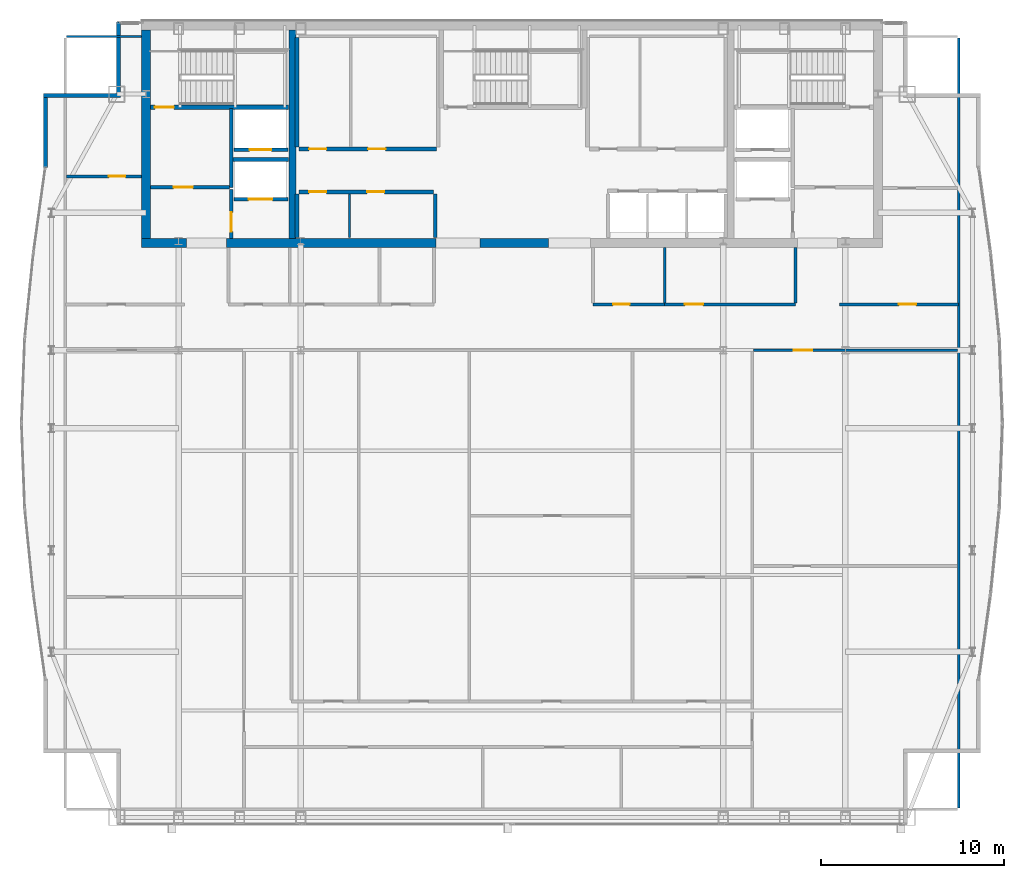
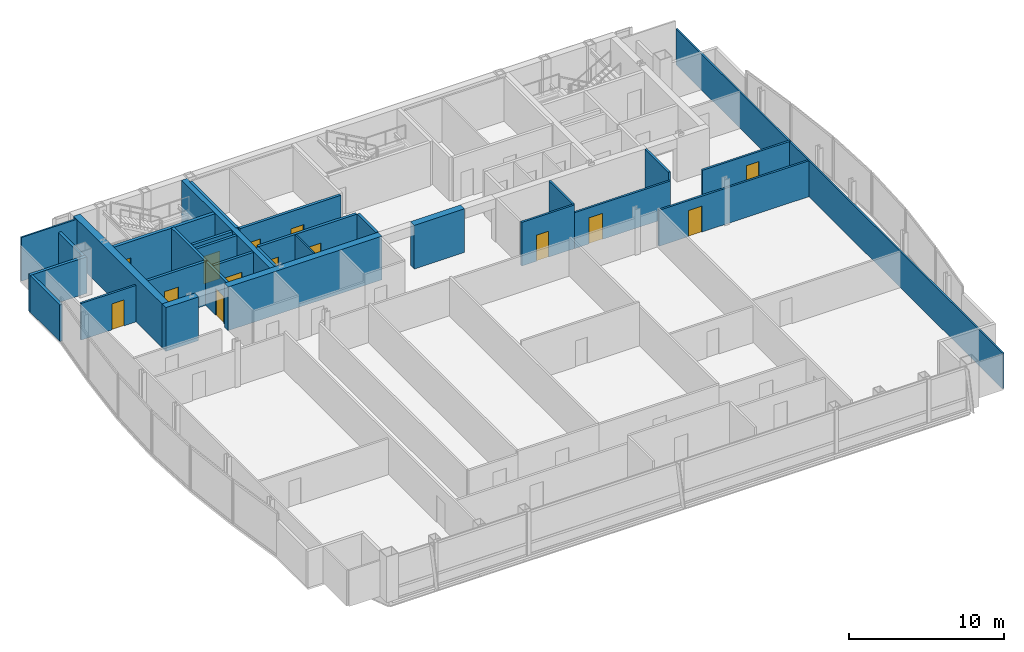
# One storey, part 22 of 26: 30 walls, 14 doors, 14 openings.
"""IFC4 building model written with IfcOpenShell, lengths in metres."""

from ifc_helpers import new_model, si_unit, direction, frame, frame_2d, origin, place, context, subcontext, project, spatial, rectangle, extrude, material, layer, layer_set, type_object, element, fill, save


model = new_model("IFC4")

# Units and contexts
model_context = context("Model", 3, precision=1e-05, world=origin(), true_north=direction((0.0, 1.0)))
body_context = subcontext(model_context, "Body", "Model", "MODEL_VIEW")
ifc_project = project(units=[si_unit("LENGTHUNIT", "METRE"), si_unit("AREAUNIT", "SQUARE_METRE"), si_unit("VOLUMEUNIT", "CUBIC_METRE"), si_unit("PLANEANGLEUNIT", "RADIAN"), si_unit("MASSUNIT", "GRAM", prefix="KILO")], contexts=[model_context])

# Site, building, storey
site_placement = place(None, origin())
site = spatial("IfcSite", under=ifc_project, at=site_placement, CompositionType="ELEMENT")
building_placement = place(site_placement, origin())
building = spatial("IfcBuilding", under=site, at=building_placement, Name="Khoronbel Lancet Exchange", CompositionType="ELEMENT")
storey_placement = place(building_placement, frame((0.0, 0.0, 339.800048828125)))
storey = spatial("IfcBuildingStorey", under=building, at=storey_placement, Name="L88", CompositionType="ELEMENT", Elevation=339.800048828125)

# Walls
ifc_material_1 = material(Name="Concrete C60/75", Category="concrete")
ifc_layer_1 = layer(ifc_material_1, 0.5, Name="Concrete C60/75")
ifc_layer_set_1 = layer_set([ifc_layer_1], Name="Concrete C60/75")
wall_type_1 = type_object("IfcWallType", Name="WL-CW4", PredefinedType="SHEAR", material=ifc_layer_set_1)
wall_1_placement = place(storey_placement, frame((16.449951171875, 41.800048828125, 0.0), z_axis=(0.0, 0.0, 1.0), x_axis=(0.0, 1.0, 0.0)))
element("IfcWall", 1, at=wall_1_placement, inside=storey, type_object=wall_type_1, Name="Level L88 rear core west shear wall", PredefinedType="SHEAR", context=body_context, shape_type="SweptSolid", body=[
    extrude(rectangle(XDim=11.39990234375, YDim=0.5, at=frame_2d((5.699951171875, 0.0))), origin(), (0.0, 0.0, 1.0), 3.43994140625),
])
wall_2_placement = place(storey_placement, frame((18.64990234375, 41.550048828125, 0.0), z_axis=(0.0, 0.0, 1.0), x_axis=(-1.0, 0.0, 0.0)))
element("IfcWall", 2, at=wall_2_placement, inside=storey, type_object=wall_type_1, Name="Level L88 rear core south shear wall pier P1", PredefinedType="SHEAR", context=body_context, shape_type="SweptSolid", body=[
    extrude(rectangle(XDim=2.449951171875, YDim=0.5, at=frame_2d((1.22509765625, 0.0))), origin(), (0.0, 0.0, 1.0), 3.43994140625),
])
wall_3_placement = place(storey_placement, frame((32.300048828125, 41.550048828125, 0.0), z_axis=(0.0, 0.0, 1.0), x_axis=(-1.0, 0.0, 0.0)))
element("IfcWall", 3, at=wall_3_placement, inside=storey, type_object=wall_type_1, Name="Level L88 rear core south shear wall pier P2", PredefinedType="SHEAR", context=body_context, shape_type="SweptSolid", body=[
    extrude(rectangle(XDim=11.449951171875, YDim=0.5, at=frame_2d((5.72509765625, 0.0))), origin(), (0.0, 0.0, 1.0), 3.43994140625),
])
wall_4_placement = place(storey_placement, frame((38.449951171875, 41.550048828125, 0.0), z_axis=(0.0, 0.0, 1.0), x_axis=(-1.0, 0.0, 0.0)))
element("IfcWall", 4, at=wall_4_placement, inside=storey, type_object=wall_type_1, Name="Level L88 rear core south shear wall pier P3", PredefinedType="SHEAR", context=body_context, shape_type="SweptSolid", body=[
    extrude(rectangle(XDim=3.75, YDim=0.5, at=frame_2d((1.875, 0.0))), origin(), (0.0, 0.0, 1.0), 3.43994140625),
])
ifc_material_2 = material(Name="Precast concrete C40/50", Category="concrete")
ifc_layer_2 = layer(ifc_material_2, 0.25, Name="Precast concrete C40/50")
ifc_layer_set_2 = layer_set([ifc_layer_2], Name="Precast concrete C40/50")
wall_type_2 = type_object("IfcWallType", Name="WL-EXT250", PredefinedType="SOLIDWALL", material=ifc_layer_set_2)
wall_5_placement = place(storey_placement, frame((10.93994140625, 45.673828125, 0.0), z_axis=(0.0, 0.0, 1.0), x_axis=(0.0, 1.0, 0.0)))
element("IfcWall", 5, at=wall_5_placement, inside=storey, type_object=wall_type_2, Name="Level L88 notched-corner limestone pier 10", PredefinedType="SOLIDWALL", context=body_context, shape_type="SweptSolid", body=[
    extrude(rectangle(XDim=3.826171875, YDim=0.219970703125, at=frame_2d((1.9130859375, 0.0))), origin(), (0.0, 0.0, 1.0), 2.8798828125),
])
wall_6_placement = place(storey_placement, frame((10.830078125, 49.610107421875, 0.0), z_axis=(0.0, 0.0, 1.0), x_axis=(1.0, 0.0, 0.0)))
element("IfcWall", 6, at=wall_6_placement, inside=storey, type_object=wall_type_2, Name="Level L88 notched-corner limestone pier 11", PredefinedType="SOLIDWALL", context=body_context, shape_type="SweptSolid", body=[
    extrude(rectangle(XDim=4.219970703125, YDim=0.219970703125, at=frame_2d((2.10986328125, 0.0))), origin(), (0.0, 0.0, 1.0), 2.8798828125),
])
wall_7_placement = place(storey_placement, frame((14.93994140625, 49.719970703125, 0.0), z_axis=(0.0, 0.0, 1.0), x_axis=(0.0, 1.0, 0.0)))
element("IfcWall", 7, at=wall_7_placement, inside=storey, type_object=wall_type_2, Name="Level L88 notched-corner limestone pier 12", PredefinedType="SOLIDWALL", context=body_context, shape_type="SweptSolid", body=[
    extrude(rectangle(XDim=3.909912109375, YDim=0.219970703125, at=frame_2d((1.955078125, 0.0))), origin(), (0.0, 0.0, 1.0), 2.8798828125),
])
ifc_material_3 = material(Name="Acoustic Metal-Stud & Mineral-Wool Gypsum Partition 120 mm", Category="gypsum")
ifc_layer_3 = layer(ifc_material_3, 0.1201171875, Name="Acoustic Metal-Stud & Mineral-Wool Gypsum Partition 120 mm")
ifc_layer_set_3 = layer_set([ifc_layer_3], Name="Acoustic Metal-Stud & Mineral-Wool Gypsum Partition 120 mm")
wall_type_3 = type_object("IfcWallType", Name="WL-PRT120", PredefinedType="PARTITIONING", material=ifc_layer_set_3)
for number, where, z_axis, x_axis, name in (
    (8, (44.800048828125, 38.280029296875, 0.0), (0.0, 0.0, 1.0), (0.0, 1.0, 0.0), "Level L88 interior partition PW-NP-M"),
    (9, (51.949951171875, 38.280029296875, 0.0), (0.0, 0.0, 1.0), (0.0, 1.0, 0.0), "Level L88 interior partition PW-NP-1"),
):
    element("IfcWall", number, at=place(storey_placement, frame(where, z_axis=z_axis, x_axis=x_axis)), inside=storey, type_object=wall_type_3, Name=name, PredefinedType="PARTITIONING", context=body_context, shape_type="SweptSolid", body=[
        extrude(rectangle(XDim=3.02001953125, YDim=0.14990234375, at=frame_2d((1.510009765625, 0.0))), origin(), (0.0, 0.0, 1.0), 3.43994140625),
    ])

# Wall, opening, door
wall_8_placement = place(storey_placement, frame((12.094970703125, 45.199951171875, 0.0), z_axis=(0.0, 0.0, 1.0), x_axis=(1.0, 0.0, 0.0)))
wall_8 = element("IfcWall", 10, at=wall_8_placement, inside=storey, type_object=wall_type_3, Name="Level L88 interior partition PW-NW-H", PredefinedType="PARTITIONING", context=body_context, shape_type="SweptSolid", body=[
    extrude(rectangle(XDim=4.10498046875, YDim=0.14990234375, at=frame_2d((2.052490234375, 0.0))), origin(), (0.0, 0.0, 1.0), 2.8798828125),
])
opening_1_placement = place(wall_8_placement, frame((2.320068359375, 0.0, 0.0)))
opening_1 = element("IfcOpeningElement", 11, at=opening_1_placement, cuts=wall_8, Name="Opening D5", PredefinedType="OPENING", context=body_context, shape_type="SweptSolid", body=[
    extrude(rectangle(XDim=0.89990234375, YDim=2.050048828125, at=frame_2d((0.449951171875, 1.02490234375))), frame((0.0, 0.0849609375, 0.0), z_axis=(0.0, -1.0, 0.0), x_axis=(1.0, 0.0, 0.0)), (0.0, 0.0, 1.0), 0.169921875),
])
ifc_material_4 = material(Name="Acoustic Timber Pantry & Support Door", Category="wood")
door_type_1 = type_object("IfcDoorType", Name="DR-D5", OperationType="NOTDEFINED", PredefinedType="DOOR", material=ifc_material_4)
door_1_placement = place(opening_1_placement, origin())
door_1 = element("IfcDoor", 12, at=door_1_placement, inside=storey, type_object=door_type_1, Name="NW north room door L88-1", OperationType="SINGLE_SWING_RIGHT", OverallHeight=2.050048828125, OverallWidth=0.89990234375, PredefinedType="DOOR", context=body_context, shape_type="SweptSolid", body=[
    extrude(rectangle(XDim=0.89990234375, YDim=2.050048828125, at=frame_2d((0.449951171875, 1.02490234375))), frame((0.0, 0.02490234375, 0.0), z_axis=(0.0, -1.0, 0.0), x_axis=(1.0, 0.0, 0.0)), (0.0, 0.0, 1.0), 0.050048828125),
])
fill(opening_1, door_1)

# Walls
wall_9_placement = place(storey_placement, frame((60.8701171875, 10.6650390625, 0.0), z_axis=(0.0, 0.0, 1.0), x_axis=(0.0, 1.0, 0.0)))
element("IfcWall", 13, at=wall_9_placement, inside=storey, type_object=wall_type_3, Name="Level L88 interior partition PW-LIN-E", PredefinedType="PARTITIONING", context=body_context, shape_type="SweptSolid", body=[
    extrude(rectangle(XDim=42.10986328125, YDim=0.1201171875, at=frame_2d((21.054931640625, 0.0))), origin(), (0.0, 0.0, 1.0), 2.829833984375),
])
wall_10_placement = place(storey_placement, frame((12.094970703125, 52.840087890625, 0.0), z_axis=(0.0, 0.0, 1.0), x_axis=(1.0, 0.0, 0.0)))
element("IfcWall", 14, at=wall_10_placement, inside=storey, type_object=wall_type_3, Name="Level L88 interior partition PW-LIN-NW", PredefinedType="PARTITIONING", context=body_context, shape_type="SweptSolid", body=[
    extrude(rectangle(XDim=4.10498046875, YDim=0.1201171875, at=frame_2d((2.052490234375, 0.0))), origin(), (0.0, 0.0, 1.0), 3.43994140625),
])
ifc_material_5 = material(Name="Fire-Rated Metal-Stud & Mineral-Wool Gypsum Partition 120 mm", Category="gypsum")
ifc_layer_4 = layer(ifc_material_5, 0.1201171875, Name="Fire-Rated Metal-Stud & Mineral-Wool Gypsum Partition 120 mm")
ifc_layer_set_4 = layer_set([ifc_layer_4], Name="Fire-Rated Metal-Stud & Mineral-Wool Gypsum Partition 120 mm")
wall_type_4 = type_object("IfcWallType", Name="WL-PRT120F", PredefinedType="PARTITIONING", material=ifc_layer_set_4)
wall_11_placement = place(storey_placement, frame((27.569091796875, 41.85009765625, 0.0), z_axis=(0.0, 0.0, 1.0), x_axis=(0.0, 1.0, 0.0)))
element("IfcWall", 15, at=wall_11_placement, inside=storey, type_object=wall_type_4, Name="Level L88 interior partition CW-PM-RS1", PredefinedType="PARTITIONING", context=body_context, shape_type="SweptSolid", body=[
    extrude(rectangle(XDim=2.39501953125, YDim=0.1201171875, at=frame_2d((1.197509765625, 0.0))), origin(), (0.0, 0.0, 1.0), 3.43994140625),
])

# Wall, opening, door
ifc_material_6 = material(Name="Fire-Rated Twin-Stud Acoustic Gypsum Partition 150 mm", Category="gypsum")
ifc_layer_5 = layer(ifc_material_6, 0.14990234375, Name="Fire-Rated Twin-Stud Acoustic Gypsum Partition 150 mm")
ifc_layer_set_5 = layer_set([ifc_layer_5], Name="Fire-Rated Twin-Stud Acoustic Gypsum Partition 150 mm")
wall_type_5 = type_object("IfcWallType", Name="WL-PRT150C", PredefinedType="PARTITIONING", material=ifc_layer_set_5)
wall_12_placement = place(storey_placement, frame((40.8798828125, 38.199951171875, 0.0), z_axis=(0.0, 0.0, 1.0), x_axis=(1.0, 0.0, 0.0)))
wall_12 = element("IfcWall", 16, at=wall_12_placement, inside=storey, type_object=wall_type_5, Name="Level L88 interior partition PW-NP-S1", PredefinedType="PARTITIONING", context=body_context, shape_type="SweptSolid", body=[
    extrude(rectangle(XDim=3.920166015625, YDim=0.14990234375, at=frame_2d((1.9599609375, 0.0))), origin(), (0.0, 0.0, 1.0), 3.43994140625),
])
opening_2_placement = place(wall_12_placement, frame((1.10009765625, 0.0, 0.0)))
opening_2 = element("IfcOpeningElement", 17, at=opening_2_placement, cuts=wall_12, Name="Opening D5", PredefinedType="OPENING", context=body_context, shape_type="SweptSolid", body=[
    extrude(rectangle(XDim=0.89990234375, YDim=2.050048828125, at=frame_2d((0.449951171875, 1.02490234375))), frame((0.0, 0.0849609375, 0.0), z_axis=(0.0, -1.0, 0.0), x_axis=(1.0, 0.0, 0.0)), (0.0, 0.0, 1.0), 0.169921875),
])
door_2_placement = place(opening_2_placement, origin())
door_2 = element("IfcDoor", 18, at=door_2_placement, inside=storey, type_object=door_type_1, Name="Floor refreshment pantry door L88-1", OperationType="SINGLE_SWING_RIGHT", OverallHeight=2.050048828125, OverallWidth=0.89990234375, PredefinedType="DOOR", context=body_context, shape_type="SweptSolid", body=[
    extrude(rectangle(XDim=0.89990234375, YDim=2.050048828125, at=frame_2d((0.449951171875, 1.02490234375))), frame((0.0, 0.02490234375, 0.0), z_axis=(0.0, -1.0, 0.0), x_axis=(1.0, 0.0, 0.0)), (0.0, 0.0, 1.0), 0.050048828125),
])
fill(opening_2, door_2)

wall_13_placement = place(storey_placement, frame((44.800048828125, 38.199951171875, 0.0), z_axis=(0.0, 0.0, 1.0), x_axis=(1.0, 0.0, 0.0)))
wall_13 = element("IfcWall", 19, at=wall_13_placement, inside=storey, type_object=wall_type_5, Name="Level L88 interior partition PW-NP-S2", PredefinedType="PARTITIONING", context=body_context, shape_type="SweptSolid", body=[
    extrude(rectangle(XDim=7.14990234375, YDim=0.14990234375, at=frame_2d((3.574951171875, 0.0))), origin(), (0.0, 0.0, 1.0), 2.829833984375),
])
opening_3_placement = place(wall_13_placement, frame((1.10009765625, 0.0, 0.0)))
opening_3 = element("IfcOpeningElement", 20, at=opening_3_placement, cuts=wall_13, Name="Opening D2", PredefinedType="OPENING", context=body_context, shape_type="SweptSolid", body=[
    extrude(rectangle(XDim=1.0, YDim=2.050048828125, at=frame_2d((0.5, 1.02490234375))), frame((0.0, 0.0849609375, 0.0), z_axis=(0.0, -1.0, 0.0), x_axis=(1.0, 0.0, 0.0)), (0.0, 0.0, 1.0), 0.169921875),
])
ifc_material_7 = material(Name="Acoustic Veneered Timber & Bronze Frame Door", Category="wood")
door_type_2 = type_object("IfcDoorType", Name="DR-D2", OperationType="NOTDEFINED", PredefinedType="DOOR", material=ifc_material_7)
door_3_placement = place(opening_3_placement, origin())
door_3 = element("IfcDoor", 21, at=door_3_placement, inside=storey, type_object=door_type_2, Name="Floor store door L88-1", OperationType="SINGLE_SWING_LEFT", OverallHeight=2.050048828125, OverallWidth=1.0, PredefinedType="DOOR", context=body_context, shape_type="SweptSolid", body=[
    extrude(rectangle(XDim=1.0, YDim=2.050048828125, at=frame_2d((0.5, 1.02490234375))), frame((0.0, 0.02490234375, 0.0), z_axis=(0.0, -1.0, 0.0), x_axis=(1.0, 0.0, 0.0)), (0.0, 0.0, 1.0), 0.050048828125),
])
fill(opening_3, door_3)

wall_14_placement = place(storey_placement, frame((54.35009765625, 38.199951171875, 0.0), z_axis=(0.0, 0.0, 1.0), x_axis=(1.0, 0.0, 0.0)))
wall_14 = element("IfcWall", 22, at=wall_14_placement, inside=storey, type_object=wall_type_5, Name="Level L88 interior partition PW-NE-S", PredefinedType="PARTITIONING", context=body_context, shape_type="SweptSolid", body=[
    extrude(rectangle(XDim=6.52001953125, YDim=0.14990234375, at=frame_2d((3.260009765625, 0.0))), origin(), (0.0, 0.0, 1.0), 2.829833984375),
])
opening_4_placement = place(wall_14_placement, frame((3.25, 0.0, 0.0)))
opening_4 = element("IfcOpeningElement", 23, at=opening_4_placement, cuts=wall_14, Name="Opening D1", PredefinedType="OPENING", context=body_context, shape_type="SweptSolid", body=[
    extrude(rectangle(XDim=0.949951171875, YDim=2.050048828125, at=frame_2d((0.47509765625, 1.02490234375))), frame((0.0, 0.0849609375, 0.0), z_axis=(0.0, -1.0, 0.0), x_axis=(1.0, 0.0, 0.0)), (0.0, 0.0, 1.0), 0.169921875),
])
door_type_3 = type_object("IfcDoorType", Name="DR-D1", OperationType="NOTDEFINED", PredefinedType="DOOR", material=ifc_material_7)
door_4_placement = place(opening_4_placement, origin())
door_4 = element("IfcDoor", 24, at=door_4_placement, inside=storey, type_object=door_type_3, Name="NE corner room door L88-1", OperationType="SINGLE_SWING_LEFT", OverallHeight=2.050048828125, OverallWidth=0.949951171875, PredefinedType="DOOR", context=body_context, shape_type="SweptSolid", body=[
    extrude(rectangle(XDim=0.949951171875, YDim=2.050048828125, at=frame_2d((0.47509765625, 1.02490234375))), frame((0.0, 0.02490234375, 0.0), z_axis=(0.0, -1.0, 0.0), x_axis=(1.0, 0.0, 0.0)), (0.0, 0.0, 1.0), 0.050048828125),
])
fill(opening_4, door_4)

wall_15_placement = place(storey_placement, frame((49.659912109375, 35.699951171875, 0.0), z_axis=(0.0, 0.0, 1.0), x_axis=(1.0, 0.0, 0.0)))
wall_15 = element("IfcWall", 25, at=wall_15_placement, inside=storey, type_object=wall_type_5, Name="Level L88 interior partition PW-Z4-EN2", PredefinedType="PARTITIONING", context=body_context, shape_type="SweptSolid", body=[
    extrude(rectangle(XDim=11.14501953125, YDim=0.14990234375, at=frame_2d((5.572509765625, 0.0))), origin(), (0.0, 0.0, 1.0), 2.829833984375),
])
opening_5_placement = place(wall_15_placement, frame((2.199951171875, 0.0, 0.0)))
opening_5 = element("IfcOpeningElement", 26, at=opening_5_placement, cuts=wall_15, Name="Opening D2", PredefinedType="OPENING", context=body_context, shape_type="SweptSolid", body=[
    extrude(rectangle(XDim=1.0, YDim=2.050048828125, at=frame_2d((0.5, 1.02490234375))), frame((0.0, 0.0849609375, 0.0), z_axis=(0.0, -1.0, 0.0), x_axis=(1.0, 0.0, 0.0)), (0.0, 0.0, 1.0), 0.169921875),
])
door_5_placement = place(opening_5_placement, origin())
door_5 = element("IfcDoor", 27, at=door_5_placement, inside=storey, type_object=door_type_2, Name="East lens north door L88-1", OperationType="SINGLE_SWING_RIGHT", OverallHeight=2.050048828125, OverallWidth=1.0, PredefinedType="DOOR", context=body_context, shape_type="SweptSolid", body=[
    extrude(rectangle(XDim=1.0, YDim=2.050048828125, at=frame_2d((0.5, 1.02490234375))), frame((0.0, 0.02490234375, 0.0), z_axis=(0.0, -1.0, 0.0), x_axis=(1.0, 0.0, 0.0)), (0.0, 0.0, 1.0), 0.050048828125),
])
fill(opening_5, door_5)

ifc_material_8 = material(Name="Autoclaved Aerated Concrete Blockwork 200 mm", Category="masonry")
ifc_layer_6 = layer(ifc_material_8, 0.199951171875, Name="Autoclaved Aerated Concrete Blockwork 200 mm")
ifc_layer_set_6 = layer_set([ifc_layer_6], Name="Autoclaved Aerated Concrete Blockwork 200 mm")
wall_type_6 = type_object("IfcWallType", Name="WL-PRT200", PredefinedType="PARTITIONING", material=ifc_layer_set_6)
wall_16_placement = place(storey_placement, frame((24.2099609375, 43.949951171875, 0.0), z_axis=(0.0, 0.0, 1.0), x_axis=(-1.0, 0.0, 0.0)))
wall_16 = element("IfcWall", 28, at=wall_16_placement, inside=storey, type_object=wall_type_6, Name="Level L88 elevator hoistway landing front wall SVLW", PredefinedType="PARTITIONING", context=body_context, shape_type="SweptSolid", body=[
    extrude(rectangle(XDim=2.969970703125, YDim=0.199951171875, at=frame_2d((1.48486328125, 0.0))), origin(), (0.0, 0.0, 1.0), 3.43994140625),
])
opening_6_placement = place(wall_16_placement, frame((0.860107421875, 0.0, 0.0)))
opening_6 = element("IfcOpeningElement", 29, at=opening_6_placement, cuts=wall_16, Name="Opening LD-SVL1", PredefinedType="OPENING", context=body_context, shape_type="SweptSolid", body=[
    extrude(rectangle(XDim=1.300048828125, YDim=2.179931640625, at=frame_2d((0.64990234375, 1.08984375))), frame((0.0, 0.10986328125, 0.0), z_axis=(0.0, -1.0, 0.0), x_axis=(1.0, 0.0, 0.0)), (0.0, 0.0, 1.0), 0.219970703125),
])
ifc_material_9 = material(Name="Heavy-Duty Bi-Parting Goods Lift Landing Door", Category="steel")
door_type_4 = type_object("IfcDoorType", Name="DR-LD-SVL", OperationType="NOTDEFINED", PredefinedType="DOOR", material=ifc_material_9)
door_6_placement = place(opening_6_placement, origin())
door_6 = element("IfcDoor", 30, at=door_6_placement, inside=storey, type_object=door_type_4, Name="Elevator landing sliding door LD-SVL1 L88", OperationType="SLIDING_TO_LEFT", OverallHeight=2.179931640625, OverallWidth=1.300048828125, PredefinedType="DOOR", context=body_context, shape_type="SweptSolid", body=[
    extrude(rectangle(XDim=1.300048828125, YDim=2.179931640625, at=frame_2d((0.64990234375, 1.08984375))), frame((0.0, 0.02490234375, 0.0), z_axis=(0.0, -1.0, 0.0), x_axis=(1.0, 0.0, 0.0)), (0.0, 0.0, 1.0), 0.050048828125),
])
fill(opening_6, door_6)

wall_17_placement = place(storey_placement, frame((24.2099609375, 46.64990234375, 0.0), z_axis=(0.0, 0.0, 1.0), x_axis=(-1.0, 0.0, 0.0)))
wall_17 = element("IfcWall", 31, at=wall_17_placement, inside=storey, type_object=wall_type_6, Name="Level L88 elevator hoistway landing front wall FFLW", PredefinedType="PARTITIONING", context=body_context, shape_type="SweptSolid", body=[
    extrude(rectangle(XDim=2.969970703125, YDim=0.199951171875, at=frame_2d((1.48486328125, 0.0))), origin(), (0.0, 0.0, 1.0), 3.43994140625),
])
opening_7_placement = place(wall_17_placement, frame((0.909912109375, 0.0, 0.0)))
opening_7 = element("IfcOpeningElement", 32, at=opening_7_placement, cuts=wall_17, Name="Opening LD-FFL1", PredefinedType="OPENING", context=body_context, shape_type="SweptSolid", body=[
    extrude(rectangle(XDim=1.199951171875, YDim=2.179931640625, at=frame_2d((0.60009765625, 1.08984375))), frame((0.0, 0.10986328125, 0.0), z_axis=(0.0, -1.0, 0.0), x_axis=(1.0, 0.0, 0.0)), (0.0, 0.0, 1.0), 0.219970703125),
])
ifc_material_10 = material(Name="Fire-Rated Stainless Bi-Parting Firefighting Lift Door", Category="steel")
door_type_5 = type_object("IfcDoorType", Name="DR-LD-FFL", OperationType="NOTDEFINED", PredefinedType="DOOR", material=ifc_material_10)
door_7_placement = place(opening_7_placement, origin())
door_7 = element("IfcDoor", 33, at=door_7_placement, inside=storey, type_object=door_type_5, Name="Elevator landing sliding door LD-FFL1 L88", OperationType="SLIDING_TO_LEFT", OverallHeight=2.179931640625, OverallWidth=1.199951171875, PredefinedType="DOOR", context=body_context, shape_type="SweptSolid", body=[
    extrude(rectangle(XDim=1.199951171875, YDim=2.179931640625, at=frame_2d((0.60009765625, 1.08984375))), frame((0.0, 0.02490234375, 0.0), z_axis=(0.0, -1.0, 0.0), x_axis=(1.0, 0.0, 0.0)), (0.0, 0.0, 1.0), 0.050048828125),
])
fill(opening_7, door_7)

# Wall
wall_18_placement = place(storey_placement, frame((21.10009765625, 44.60009765625, 0.0), z_axis=(0.0, 0.0, 1.0), x_axis=(0.0, 1.0, 0.0)))
element("IfcWall", 34, at=wall_18_placement, inside=storey, type_object=wall_type_6, Name="Level L88 interior partition CW-FFLW-E", PredefinedType="PARTITIONING", context=body_context, shape_type="SweptSolid", body=[
    extrude(rectangle(XDim=4.2998046875, YDim=0.199951171875, at=frame_2d((2.14990234375, 0.0))), origin(), (0.0, 0.0, 1.0), 3.43994140625),
])

# Wall, opening, door
wall_19_placement = place(storey_placement, frame((16.699951171875, 44.60009765625, 0.0), z_axis=(0.0, 0.0, 1.0), x_axis=(1.0, 0.0, 0.0)))
wall_19 = element("IfcWall", 35, at=wall_19_placement, inside=storey, type_object=wall_type_6, Name="Level L88 interior partition CW-FFLW-S", PredefinedType="PARTITIONING", context=body_context, shape_type="SweptSolid", body=[
    extrude(rectangle(XDim=4.300048828125, YDim=0.199951171875, at=frame_2d((2.14990234375, 0.0))), origin(), (0.0, 0.0, 1.0), 3.43994140625),
])
opening_8_placement = place(wall_19_placement, frame((1.25, 0.0, 0.0)))
opening_8 = element("IfcOpeningElement", 36, at=opening_8_placement, cuts=wall_19, Name="Opening FD1", PredefinedType="OPENING", context=body_context, shape_type="SweptSolid", body=[
    extrude(rectangle(XDim=1.050048828125, YDim=2.14990234375, at=frame_2d((0.52490234375, 1.074951171875))), frame((0.0, 0.10986328125, 0.0), z_axis=(0.0, -1.0, 0.0), x_axis=(1.0, 0.0, 0.0)), (0.0, 0.0, 1.0), 0.219970703125),
])
ifc_material_11 = material(Name="Fire-Rated Painted Steel Door Assembly", Category="steel")
door_type_6 = type_object("IfcDoorType", Name="DR-FD1", OperationType="NOTDEFINED", PredefinedType="DOOR", material=ifc_material_11)
door_8_placement = place(opening_8_placement, origin())
door_8 = element("IfcDoor", 37, at=door_8_placement, inside=storey, type_object=door_type_6, Name="West firefighting lobby FD90S door L88-1", OperationType="SINGLE_SWING_LEFT", OverallHeight=2.14990234375, OverallWidth=1.050048828125, PredefinedType="DOOR", context=body_context, shape_type="SweptSolid", body=[
    extrude(rectangle(XDim=1.050048828125, YDim=2.14990234375, at=frame_2d((0.52490234375, 1.074951171875))), frame((0.0, 0.02490234375, 0.0), z_axis=(0.0, -1.0, 0.0), x_axis=(1.0, 0.0, 0.0)), (0.0, 0.0, 1.0), 0.050048828125),
])
fill(opening_8, door_8)

# Wall
wall_20_placement = place(storey_placement, frame((21.199951171875, 46.1201171875, 0.0), z_axis=(0.0, 0.0, 1.0), x_axis=(1.0, 0.0, 0.0)))
element("IfcWall", 38, at=wall_20_placement, inside=storey, type_object=wall_type_6, Name="Level L88 interior partition CW-FFL1-S", PredefinedType="PARTITIONING", context=body_context, shape_type="SweptSolid", body=[
    extrude(rectangle(XDim=3.02001953125, YDim=0.199951171875, at=frame_2d((1.510009765625, 0.0))), origin(), (0.0, 0.0, 1.0), 3.43994140625),
])

# Wall, opening, door
wall_21_placement = place(storey_placement, frame((21.10009765625, 41.800048828125, 0.0), z_axis=(0.0, 0.0, 1.0), x_axis=(0.0, 1.0, 0.0)))
wall_21 = element("IfcWall", 39, at=wall_21_placement, inside=storey, type_object=wall_type_6, Name="Level L88 interior partition CW-SVLW-W", PredefinedType="PARTITIONING", context=body_context, shape_type="SweptSolid", body=[
    extrude(rectangle(XDim=2.695068359375, YDim=0.199951171875, at=frame_2d((1.34765625, 0.0))), origin(), (0.0, 0.0, 1.0), 3.43994140625),
])
opening_9_placement = place(wall_21_placement, frame((0.3798828125, 0.0, 0.0)))
opening_9 = element("IfcOpeningElement", 40, at=opening_9_placement, cuts=wall_21, Name="Opening FD1", PredefinedType="OPENING", context=body_context, shape_type="SweptSolid", body=[
    extrude(rectangle(XDim=1.050048828125, YDim=2.14990234375, at=frame_2d((0.52490234375, 1.074951171875))), frame((0.0, 0.10986328125, 0.0), z_axis=(0.0, -1.0, 0.0), x_axis=(1.0, 0.0, 0.0)), (0.0, 0.0, 1.0), 0.219970703125),
])
door_9_placement = place(opening_9_placement, origin())
door_9 = element("IfcDoor", 41, at=door_9_placement, inside=storey, type_object=door_type_6, Name="West service lift lobby door L88-1", OperationType="SINGLE_SWING_RIGHT", OverallHeight=2.14990234375, OverallWidth=1.050048828125, PredefinedType="DOOR", context=body_context, shape_type="SweptSolid", body=[
    extrude(rectangle(XDim=1.050048828125, YDim=2.14990234375, at=frame_2d((0.52490234375, 1.074951171875))), frame((0.0, 0.02490234375, 0.0), z_axis=(0.0, -1.0, 0.0), x_axis=(1.0, 0.0, 0.0)), (0.0, 0.0, 1.0), 0.050048828125),
])
fill(opening_9, door_9)

# Wall
wall_22_placement = place(storey_placement, frame((24.699951171875, 46.804931640625, 0.0), z_axis=(0.0, 0.0, 1.0), x_axis=(0.0, 1.0, 0.0)))
element("IfcWall", 42, at=wall_22_placement, inside=storey, type_object=wall_type_6, Name="Level L88 interior partition CW-PL-RW", PredefinedType="PARTITIONING", context=body_context, shape_type="SweptSolid", body=[
    extrude(rectangle(XDim=5.989990234375, YDim=0.199951171875, at=frame_2d((2.9951171875, 0.0))), origin(), (0.0, 0.0, 1.0), 3.43994140625),
])

# Wall, openings, doors
wall_23_placement = place(storey_placement, frame((24.804931640625, 46.699951171875, 0.0), z_axis=(0.0, 0.0, 1.0), x_axis=(1.0, 0.0, 0.0)))
wall_23 = element("IfcWall", 43, at=wall_23_placement, inside=storey, type_object=wall_type_6, Name="Level L88 interior partition CW-PL-RF", PredefinedType="PARTITIONING", context=body_context, shape_type="SweptSolid", body=[
    extrude(rectangle(XDim=7.510009765625, YDim=0.199951171875, at=frame_2d((3.7548828125, 0.0))), origin(), (0.0, 0.0, 1.0), 3.43994140625),
])
opening_10_placement = place(wall_23_placement, frame((0.550048828125, 0.0, 0.0)))
opening_10 = element("IfcOpeningElement", 44, at=opening_10_placement, cuts=wall_23, Name="Opening FD3", PredefinedType="OPENING", context=body_context, shape_type="SweptSolid", body=[
    extrude(rectangle(XDim=0.949951171875, YDim=2.10009765625, at=frame_2d((0.47509765625, 1.050048828125))), frame((0.0, 0.10986328125, 0.0), z_axis=(0.0, -1.0, 0.0), x_axis=(1.0, 0.0, 0.0)), (0.0, 0.0, 1.0), 0.219970703125),
])
opening_11_placement = place(wall_23_placement, frame((3.78369140625, 0.0, 0.0)))
opening_11 = element("IfcOpeningElement", 45, at=opening_11_placement, cuts=wall_23, Name="Opening FD3", PredefinedType="OPENING", context=body_context, shape_type="SweptSolid", body=[
    extrude(rectangle(XDim=0.949951171875, YDim=2.10009765625, at=frame_2d((0.47509765625, 1.050048828125))), frame((0.0, 0.10986328125, 0.0), z_axis=(0.0, -1.0, 0.0), x_axis=(1.0, 0.0, 0.0)), (0.0, 0.0, 1.0), 0.219970703125),
])
ifc_material_12 = material(Name="Fire-Rated Steel Plant & Riser Door Assembly", Category="steel")
door_type_7 = type_object("IfcDoorType", Name="DR-FD3", OperationType="NOTDEFINED", PredefinedType="DOOR", material=ifc_material_12)
door_10_placement = place(opening_10_placement, origin())
door_10 = element("IfcDoor", 46, at=door_10_placement, inside=storey, type_object=door_type_7, Name="Reclaimed PL A door L88-1", OperationType="SINGLE_SWING_LEFT", OverallHeight=2.10009765625, OverallWidth=0.949951171875, PredefinedType="DOOR", context=body_context, shape_type="SweptSolid", body=[
    extrude(rectangle(XDim=0.949951171875, YDim=2.10009765625, at=frame_2d((0.47509765625, 1.050048828125))), frame((0.0, 0.02490234375, 0.0), z_axis=(0.0, -1.0, 0.0), x_axis=(1.0, 0.0, 0.0)), (0.0, 0.0, 1.0), 0.050048828125),
])
fill(opening_10, door_10)
door_11_placement = place(opening_11_placement, origin())
door_11 = element("IfcDoor", 47, at=door_11_placement, inside=storey, type_object=door_type_7, Name="Reclaimed PL B door L88-2", OperationType="SINGLE_SWING_RIGHT", OverallHeight=2.10009765625, OverallWidth=0.949951171875, PredefinedType="DOOR", context=body_context, shape_type="SweptSolid", body=[
    extrude(rectangle(XDim=0.949951171875, YDim=2.10009765625, at=frame_2d((0.47509765625, 1.050048828125))), frame((0.0, 0.02490234375, 0.0), z_axis=(0.0, -1.0, 0.0), x_axis=(1.0, 0.0, 0.0)), (0.0, 0.0, 1.0), 0.050048828125),
])
fill(opening_11, door_11)

# Walls
for number, where, z_axis, x_axis, name in (
    (48, (24.699951171875, 41.85009765625, 0.0), (0.0, 0.0, 1.0), (0.0, 1.0, 0.0), "Level L88 interior partition CW-PM-RW"),
    (49, (32.25, 41.85009765625, 0.0), (0.0, 0.0, 1.0), (0.0, 1.0, 0.0), "Level L88 interior partition CW-PM-RE"),
):
    element("IfcWall", number, at=place(storey_placement, frame(where, z_axis=z_axis, x_axis=x_axis)), inside=storey, type_object=wall_type_6, Name=name, PredefinedType="PARTITIONING", context=body_context, shape_type="SweptSolid", body=[
        extrude(rectangle(XDim=2.39501953125, YDim=0.199951171875, at=frame_2d((1.197509765625, 0.0))), origin(), (0.0, 0.0, 1.0), 3.43994140625),
    ])

# Wall, openings, doors
wall_24_placement = place(storey_placement, frame((24.804931640625, 44.35009765625, 0.0), z_axis=(0.0, 0.0, 1.0), x_axis=(1.0, 0.0, 0.0)))
wall_24 = element("IfcWall", 50, at=wall_24_placement, inside=storey, type_object=wall_type_6, Name="Level L88 interior partition CW-PM-RF", PredefinedType="PARTITIONING", context=body_context, shape_type="SweptSolid", body=[
    extrude(rectangle(XDim=7.340087890625, YDim=0.199951171875, at=frame_2d((3.669921875, 0.0))), origin(), (0.0, 0.0, 1.0), 3.43994140625),
])
opening_12_placement = place(wall_24_placement, frame((0.550048828125, 0.0, 0.0)))
opening_12 = element("IfcOpeningElement", 51, at=opening_12_placement, cuts=wall_24, Name="Opening FD3", PredefinedType="OPENING", context=body_context, shape_type="SweptSolid", body=[
    extrude(rectangle(XDim=0.949951171875, YDim=2.10009765625, at=frame_2d((0.47509765625, 1.050048828125))), frame((0.0, 0.10986328125, 0.0), z_axis=(0.0, -1.0, 0.0), x_axis=(1.0, 0.0, 0.0)), (0.0, 0.0, 1.0), 0.219970703125),
])
opening_13_placement = place(wall_24_placement, frame((3.718994140625, 0.0, 0.0)))
opening_13 = element("IfcOpeningElement", 52, at=opening_13_placement, cuts=wall_24, Name="Opening FD3", PredefinedType="OPENING", context=body_context, shape_type="SweptSolid", body=[
    extrude(rectangle(XDim=0.949951171875, YDim=2.10009765625, at=frame_2d((0.47509765625, 1.050048828125))), frame((0.0, 0.10986328125, 0.0), z_axis=(0.0, -1.0, 0.0), x_axis=(1.0, 0.0, 0.0)), (0.0, 0.0, 1.0), 0.219970703125),
])
door_12_placement = place(opening_12_placement, origin())
door_12 = element("IfcDoor", 53, at=door_12_placement, inside=storey, type_object=door_type_7, Name="Reclaimed PM A door L88-1", OperationType="SINGLE_SWING_LEFT", OverallHeight=2.10009765625, OverallWidth=0.949951171875, PredefinedType="DOOR", context=body_context, shape_type="SweptSolid", body=[
    extrude(rectangle(XDim=0.949951171875, YDim=2.10009765625, at=frame_2d((0.47509765625, 1.050048828125))), frame((0.0, 0.02490234375, 0.0), z_axis=(0.0, -1.0, 0.0), x_axis=(1.0, 0.0, 0.0)), (0.0, 0.0, 1.0), 0.050048828125),
])
fill(opening_12, door_12)
door_13_placement = place(opening_13_placement, origin())
door_13 = element("IfcDoor", 54, at=door_13_placement, inside=storey, type_object=door_type_7, Name="Reclaimed PM B door L88-2", OperationType="SINGLE_SWING_RIGHT", OverallHeight=2.10009765625, OverallWidth=0.949951171875, PredefinedType="DOOR", context=body_context, shape_type="SweptSolid", body=[
    extrude(rectangle(XDim=0.949951171875, YDim=2.10009765625, at=frame_2d((0.47509765625, 1.050048828125))), frame((0.0, 0.02490234375, 0.0), z_axis=(0.0, -1.0, 0.0), x_axis=(1.0, 0.0, 0.0)), (0.0, 0.0, 1.0), 0.050048828125),
])
fill(opening_13, door_13)

# Wall
ifc_layer_7 = layer(ifc_material_1, 0.39990234375, Name="Concrete C60/75")
ifc_layer_set_7 = layer_set([ifc_layer_7], Name="Concrete C60/75")
wall_type_7 = type_object("IfcWallType", Name="WL-SW2", PredefinedType="SHEAR", material=ifc_layer_set_7)
wall_25_placement = place(storey_placement, frame((24.449951171875, 41.800048828125, 0.0), z_axis=(0.0, 0.0, 1.0), x_axis=(0.0, 1.0, 0.0)))
element("IfcWall", 55, at=wall_25_placement, inside=storey, type_object=wall_type_7, Name="Level L88 rear core internal spine shear wall IW", PredefinedType="SHEAR", context=body_context, shape_type="SweptSolid", body=[
    extrude(rectangle(XDim=11.39990234375, YDim=0.39990234375, at=frame_2d((5.699951171875, 0.0))), origin(), (0.0, 0.0, 1.0), 3.43994140625),
])

# Wall, opening, door
ifc_layer_8 = layer(ifc_material_1, 0.260009765625, Name="Concrete C60/75")
ifc_layer_set_8 = layer_set([ifc_layer_8], Name="Concrete C60/75")
wall_type_8 = type_object("IfcWallType", Name="WL-SW3", PredefinedType="SHEAR", material=ifc_layer_set_8)
wall_26_placement = place(storey_placement, frame((16.699951171875, 48.97998046875, 0.0), z_axis=(0.0, 0.0, 1.0), x_axis=(1.0, 0.0, 0.0)))
wall_26 = element("IfcWall", 56, at=wall_26_placement, inside=storey, type_object=wall_type_8, Name="Level L88 west stairwell structural south wall", PredefinedType="SHEAR", context=body_context, shape_type="SweptSolid", body=[
    extrude(rectangle(XDim=7.52001953125, YDim=0.239990234375, at=frame_2d((3.760009765625, 0.0))), origin(), (0.0, 0.0, 1.0), 3.43994140625),
])
opening_14_placement = place(wall_26_placement, frame((0.219970703125, 0.0, 0.0)))
opening_14 = element("IfcOpeningElement", 57, at=opening_14_placement, cuts=wall_26, Name="Opening SD1", PredefinedType="OPENING", context=body_context, shape_type="SweptSolid", body=[
    extrude(rectangle(XDim=1.050048828125, YDim=2.14990234375, at=frame_2d((0.52490234375, 1.074951171875))), frame((0.0, 0.1298828125, 0.0), z_axis=(0.0, -1.0, 0.0), x_axis=(1.0, 0.0, 0.0)), (0.0, 0.0, 1.0), 0.260009765625),
])
ifc_material_13 = material(Name="Fire-Rated Steel Stairwell Door Assembly", Category="steel")
door_type_8 = type_object("IfcDoorType", Name="DR-SD1", OperationType="NOTDEFINED", PredefinedType="DOOR", material=ifc_material_13)
door_14_placement = place(opening_14_placement, origin())
door_14 = element("IfcDoor", 58, at=door_14_placement, inside=storey, type_object=door_type_8, Name="Protected exit stair ST1 door L88", OperationType="SINGLE_SWING_LEFT", OverallHeight=2.14990234375, OverallWidth=1.050048828125, PredefinedType="DOOR", context=body_context, shape_type="SweptSolid", body=[
    extrude(rectangle(XDim=1.050048828125, YDim=2.14990234375, at=frame_2d((0.52490234375, 1.074951171875))), frame((0.0, 0.02490234375, 0.0), z_axis=(0.0, -1.0, 0.0), x_axis=(1.0, 0.0, 0.0)), (0.0, 0.0, 1.0), 0.050048828125),
])
fill(opening_14, door_14)

save(model, "model.ifc")
